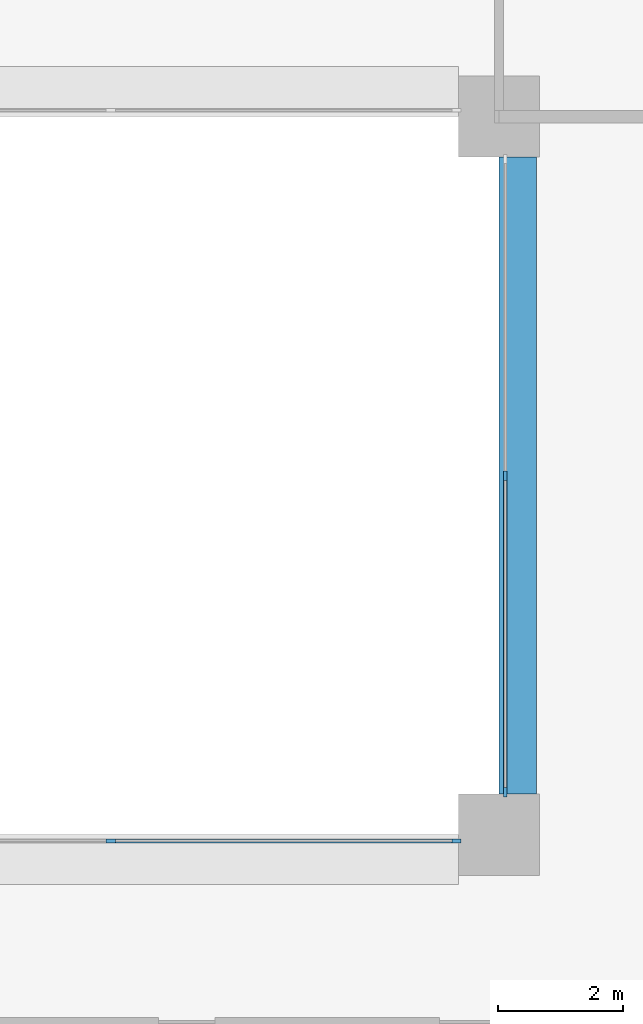
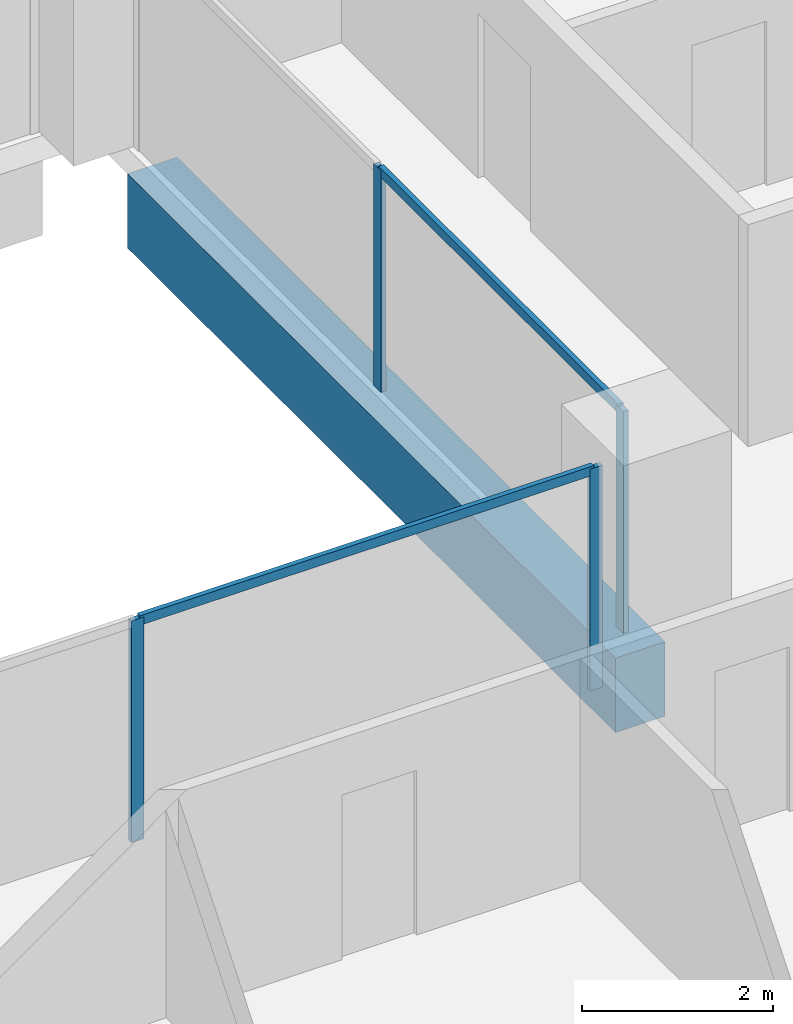
# One storey, part 4 of 16: 6 members, 1 beam, 2 elements without a shape of their own.
"""IFC4 building model written with IfcOpenShell, lengths in metres."""

import ifcopenshell
import ifcopenshell.guid

model = None  # the IFC model being written
_history = None  # IfcOwnerHistory: only IFC2X3 demands one
_inside = {}  # id of a spatial element -> (the spatial element, [elements in it])
_under = {}  # id of a project, library or spatial element -> (it, [spatial elements below it])
_declared = {}  # id of a project -> (the project, [libraries it declares])
_typed = {}  # id of a type object -> (the type object, [elements of that type])
_made_of = {}  # id of a material, layer set ... -> (it, [elements and type objects made of it])


def new_model(schema):
    """Start an empty IFC model of exactly this schema.

    Asked for "IFC4X3", IfcOpenShell would pick the latest addendum, in which some entities
    have other attributes; the version numbers below select the first issue.
    IFC2X3 requires an IfcOwnerHistory on every rooted entity: one is made here for all.
    """
    global model, _history
    if schema == "IFC4X3":
        model = ifcopenshell.file(schema_version=(4, 3, 0, 0))
    else:
        model = ifcopenshell.file(schema=schema)
    _inside.clear()
    _under.clear()
    _declared.clear()
    _typed.clear()
    _made_of.clear()
    _history = None
    if model.schema == "IFC2X3":
        org = make("IfcOrganization", Name="unknown")
        user = make(
            "IfcPersonAndOrganization",
            ThePerson=make("IfcPerson", FamilyName="unknown"),
            TheOrganization=org,
        )
        app = make(
            "IfcApplication",
            ApplicationDeveloper=org,
            Version="unknown",
            ApplicationFullName="unknown",
            ApplicationIdentifier="unknown",
        )
        _history = make(
            "IfcOwnerHistory",
            OwningUser=user,
            OwningApplication=app,
            ChangeAction="ADDED",
            CreationDate=0,
        )
    return model


def make(cls, **values):
    """One entity of the class cls with the attributes given. An attribute that is None is left unset."""
    return model.create_entity(
        cls, **{name: value for name, value in values.items() if value is not None}
    )


def rooted(cls, **values):
    """An entity with a GlobalId (a new one), such as an element, a storey or a relation."""
    return make(cls, GlobalId=ifcopenshell.guid.new(), OwnerHistory=_history, **values)


def si_unit(unit_type, name, prefix=None):
    """IfcSIUnit, for example si_unit("LENGTHUNIT", "METRE", prefix="MILLI")."""
    return make("IfcSIUnit", UnitType=unit_type, Prefix=prefix, Name=name)


def assignment(units):
    """IfcUnitAssignment: the units of a project."""
    return None if units is None else make("IfcUnitAssignment", Units=units)


def point(xyz):
    """IfcCartesianPoint."""
    return None if xyz is None else make("IfcCartesianPoint", Coordinates=xyz)


def direction(xyz):
    """IfcDirection."""
    return None if xyz is None else make("IfcDirection", DirectionRatios=xyz)


def frame(location, z_axis=None, x_axis=None):
    """IfcAxis2Placement3D, a coordinate frame: its origin and axes. An axis left out is left unset."""
    return make(
        "IfcAxis2Placement3D",
        Location=point(location),
        Axis=direction(z_axis),
        RefDirection=direction(x_axis),
    )


def frame_2d(location, x_axis=None):
    """IfcAxis2Placement2D, a coordinate frame in the plane: its origin and x axis."""
    return make(
        "IfcAxis2Placement2D", Location=point(location), RefDirection=direction(x_axis)
    )


def origin():
    """The frame at (0, 0, 0) with its axes left unset."""
    return frame((0.0, 0.0, 0.0))


def origin_2d():
    """The frame at (0, 0) in the plane with its x axis left unset."""
    return frame_2d((0.0, 0.0))


def place(relative_to, where):
    """IfcLocalPlacement: puts the frame where relative to a parent placement (None: the world)."""
    return make(
        "IfcLocalPlacement", PlacementRelTo=relative_to, RelativePlacement=where
    )


def context(
    kind, dimensions, precision=None, world=None, true_north=None, identifier=None
):
    """IfcGeometricRepresentationContext, for example the 3D "Model" context."""
    return make(
        "IfcGeometricRepresentationContext",
        ContextIdentifier=identifier,
        ContextType=kind,
        CoordinateSpaceDimension=dimensions,
        Precision=precision,
        WorldCoordinateSystem=world,
        TrueNorth=true_north,
    )


def subcontext(parent, identifier, kind, view, scale=None):
    """IfcGeometricRepresentationSubContext, for example "Body" below "Model"."""
    return make(
        "IfcGeometricRepresentationSubContext",
        ContextIdentifier=identifier,
        ContextType=kind,
        ParentContext=parent,
        TargetScale=scale,
        TargetView=view,
    )


def project(units=None, contexts=None):
    """IfcProject with its units and contexts."""
    return rooted(
        "IfcProject",
        Name="project",
        RepresentationContexts=contexts,
        UnitsInContext=assignment(units),
    )


def spatial(cls, under=None, at=None, **own):
    """A site, building, storey or space (cls), placed at a placement, below another one or the project."""
    s = rooted(cls, ObjectPlacement=at, **own)
    if under is not None:
        _under.setdefault(under.id(), (under, []))[1].append(s)
    return s


def profile(cls, at=None, kind="AREA", **sizes):
    """A parametric profile (cls). Its sizes go by their IFC names, for example OverallWidth=200.0."""
    return make(cls, ProfileType=kind, Position=at, **sizes)


def rectangle(**sizes):
    """IfcRectangleProfileDef."""
    return profile("IfcRectangleProfileDef", **sizes)


def extrude(swept, where, along, depth):
    """IfcExtrudedAreaSolid: the profile swept, set in the frame where, extruded along a direction by depth."""
    return make(
        "IfcExtrudedAreaSolid",
        SweptArea=swept,
        Position=where,
        ExtrudedDirection=direction(along),
        Depth=depth,
    )


def shape(context_of_items, identifier, shape_type, items):
    """IfcShapeRepresentation: the items that make up one representation, for example the "Body"."""
    return make(
        "IfcShapeRepresentation",
        ContextOfItems=context_of_items,
        RepresentationIdentifier=identifier,
        RepresentationType=shape_type,
        Items=items,
    )


def material(Name=None, Category=None):
    """IfcMaterial."""
    return make("IfcMaterial", Name=Name, Category=Category)


def layer(
    of_material, thickness, ventilated=None, Name=None, Category=None, Priority=None
):
    """IfcMaterialLayer: one layer of a wall or slab, of a material (None: an air gap)."""
    return make(
        "IfcMaterialLayer",
        Material=of_material,
        LayerThickness=thickness,
        IsVentilated=ventilated,
        Name=Name,
        Category=Category,
        Priority=Priority,
    )


def layer_set(layers, Name=None):
    """IfcMaterialLayerSet."""
    return make("IfcMaterialLayerSet", MaterialLayers=layers, LayerSetName=Name)


def material_profile(
    of_material, cross_section, Name=None, Category=None, Priority=None
):
    """IfcMaterialProfile: a cross section and its material."""
    return make(
        "IfcMaterialProfile",
        Name=Name,
        Material=of_material,
        Profile=cross_section,
        Priority=Priority,
        Category=Category,
    )


def profile_set(profiles, Name=None, composite=None):
    """IfcMaterialProfileSet."""
    return make(
        "IfcMaterialProfileSet",
        Name=Name,
        MaterialProfiles=profiles,
        CompositeProfile=composite,
    )


def made_of(thing, what):
    """Note that an element or type object is made of a material, layer set ...; save() writes the relation."""
    if what is not None:
        _made_of.setdefault(what.id(), (what, []))[1].append(thing)
    return thing


def type_object(cls, material=None, **own):
    """A type object (cls), such as IfcWallType, which elements share."""
    return made_of(rooted(cls, **own), material)


def element(
    cls,
    number,
    at=None,
    inside=None,
    cuts=None,
    type_object=None,
    material=None,
    context=None,
    identifier="Body",
    shape_type=None,
    held_by="IfcProductDefinitionShape",
    body=None,
    shapes=None,
    **own,
):
    """One element of the class cls, such as IfcWall. Its Tag is "e" and its number.

    at: its placement. inside: the storey or other place that contains it. cuts: it is an
    opening in that element (IfcRelVoidsElement). A single representation is given by context,
    identifier, shape_type and body (its items); several are given by shapes. held_by: the class
    of the entity that holds the representations. save() writes the other relations.
    """
    e = rooted(cls, Tag="e%d" % number, ObjectPlacement=at, **own)
    if body is not None:
        shapes = [shape(context, identifier, shape_type, body)]
    if shapes is not None:
        e.Representation = make(held_by, Representations=shapes)
    if inside is not None:
        _inside.setdefault(inside.id(), (inside, []))[1].append(e)
    if cuts is not None:
        rooted(
            "IfcRelVoidsElement", RelatingBuildingElement=cuts, RelatedOpeningElement=e
        )
    if type_object is not None:
        _typed.setdefault(type_object.id(), (type_object, []))[1].append(e)
    return made_of(e, material)


def aggregate(whole, parts):
    """IfcRelAggregates: a whole, such as a stair, and the parts it consists of."""
    return rooted("IfcRelAggregates", RelatingObject=whole, RelatedObjects=parts)


def save(model, path):
    """Write the relations noted so far, then the file.

    IfcRelAggregates (storeys below a building ...), IfcRelContainedInSpatialStructure (elements
    in a storey), IfcRelDefinesByType, IfcRelAssociatesMaterial and IfcRelDeclares: one each for
    every whole, place, type object, material and project.
    """
    for whole, parts in _under.values():
        aggregate(whole, parts)
    for where, things in _inside.values():
        rooted(
            "IfcRelContainedInSpatialStructure",
            RelatedElements=things,
            RelatingStructure=where,
        )
    for kind, things in _typed.values():
        rooted("IfcRelDefinesByType", RelatedObjects=things, RelatingType=kind)
    for what, things in _made_of.values():
        rooted("IfcRelAssociatesMaterial", RelatedObjects=things, RelatingMaterial=what)
    for by, libraries in _declared.values():
        rooted("IfcRelDeclares", RelatingContext=by, RelatedDefinitions=libraries)
    model.write(path)


model = new_model("IFC4")

# Units and contexts
model_context = context("Model", 3, precision=1e-05, world=origin(), true_north=direction((0.0, 1.0)))
body_context = subcontext(model_context, "Body", "Model", "MODEL_VIEW")
ifc_project = project(units=[si_unit("LENGTHUNIT", "METRE"), si_unit("AREAUNIT", "SQUARE_METRE"), si_unit("VOLUMEUNIT", "CUBIC_METRE"), si_unit("PLANEANGLEUNIT", "RADIAN"), si_unit("MASSUNIT", "GRAM", prefix="KILO")], contexts=[model_context])

# Site, building, storey
site_placement = place(None, origin())
site = spatial("IfcSite", under=ifc_project, at=site_placement, CompositionType="ELEMENT")
building_placement = place(site_placement, origin())
building = spatial("IfcBuilding", under=site, at=building_placement, Name="Brigalow Station Residences", CompositionType="ELEMENT")
storey_placement = place(building_placement, frame((0.0, 0.0, 83.550048828125)))
storey = spatial("IfcBuildingStorey", under=building, at=storey_placement, Name="L23", CompositionType="ELEMENT", Elevation=83.550048828125)

# Beam
ifc_material_1 = material(Name="Concrete C65", Category="concrete")
ifc_material_profile_1 = material_profile(ifc_material_1, rectangle(XDim=0.60009765625, YDim=0.949951171875, at=origin_2d()), Name="RC600x950")
ifc_profile_set_1 = profile_set([ifc_material_profile_1], Name="Concrete C65")
beam_type = type_object("IfcBeamType", Name="ATRIUM EDGE GIRDER 600x950 C65", PredefinedType="BEAM", material=ifc_profile_set_1)
beam_placement = place(storey_placement, frame((45.300048828125, 24.64990234375, -0.795166015625), z_axis=(0.0, 1.0, 0.0), x_axis=(-1.0, 0.0, 0.0)))
element("IfcBeam", 1, at=beam_placement, inside=storey, type_object=beam_type, Name="ATRIUM EDGE GIRDER 5 L23", PredefinedType="BEAM", context=body_context, shape_type="SweptSolid", body=[
    extrude(rectangle(XDim=0.60009765625, YDim=0.949951171875, at=origin_2d()), origin(), (0.0, 0.0, 1.0), 10.2001953125),
])

# Curtain wall, members
ifc_material_2 = material(Name="Aluminium", Category="aluminium")
ifc_layer = layer(ifc_material_2, 0.14990234375)
ifc_layer_set = layer_set([ifc_layer], Name="ATRIUM FIRE-RATED GLAZING CURTAIN WALL")
curtain_wall_type = type_object("IfcCurtainWallType", Name="ATRIUM FIRE-RATED GLAZING CURTAIN WALL", PredefinedType="NOTDEFINED", material=ifc_layer_set)
curtain_wall_1_placement = place(storey_placement, origin())
curtain_wall_1 = element("IfcCurtainWall", 2, at=curtain_wall_1_placement, inside=storey, type_object=curtain_wall_type, Name="L23/cw/atrium-S", PredefinedType="NOTDEFINED")
ifc_material_3 = material(Name="Aluminium", Category="aluminium")
ifc_material_profile_2 = material_profile(ifc_material_3, rectangle(XDim=0.06005859375, YDim=0.14990234375, at=origin_2d()), Name="ATRIUM FIRE-RATED GLAZING MULLION 60x150")
ifc_profile_set_2 = profile_set([ifc_material_profile_2], Name="Aluminium")
member_type_1 = type_object("IfcMemberType", Name="ATRIUM FIRE-RATED GLAZING MULLION 60x150", PredefinedType="MULLION", material=ifc_profile_set_2)
member_1_placement = place(storey_placement, frame((38.783203125, 23.89990234375, 0.0), z_axis=(0.0, 0.0, 1.0), x_axis=(0.0, 1.0, 0.0)))
member_1 = element("IfcMember", 3, at=member_1_placement, type_object=member_type_1, Name="L23/cw/atrium-S/M02", PredefinedType="MULLION", context=body_context, shape_type="SweptSolid", body=[
    extrude(rectangle(XDim=0.06005859375, YDim=0.14990234375, at=origin_2d()), origin(), (0.0, 0.0, 1.0), 2.829833984375),
])
member_2_placement = place(storey_placement, frame((44.320068359375, 23.89990234375, 0.0), z_axis=(0.0, 0.0, 1.0), x_axis=(0.0, 1.0, 0.0)))
member_2 = element("IfcMember", 4, at=member_2_placement, type_object=member_type_1, Name="L23/cw/atrium-S/M03", PredefinedType="MULLION", context=body_context, shape_type="SweptSolid", body=[
    extrude(rectangle(XDim=0.06005859375, YDim=0.14990234375, at=origin_2d()), origin(), (0.0, 0.0, 1.0), 2.829833984375),
])

curtain_wall_2_placement = place(storey_placement, origin())
curtain_wall_2 = element("IfcCurtainWall", 5, at=curtain_wall_2_placement, inside=storey, type_object=curtain_wall_type, Name="L23/cw/atrium-E", PredefinedType="NOTDEFINED")
member_3_placement = place(storey_placement, frame((45.10009765625, 24.679931640625, 0.0), z_axis=(0.0, 0.0, 1.0), x_axis=(-1.0, 0.0, 0.0)))
member_3 = element("IfcMember", 6, at=member_3_placement, type_object=member_type_1, Name="L23/cw/atrium-E/M00", PredefinedType="MULLION", context=body_context, shape_type="SweptSolid", body=[
    extrude(rectangle(XDim=0.06005859375, YDim=0.14990234375, at=origin_2d()), origin(), (0.0, 0.0, 1.0), 2.829833984375),
])
member_4_placement = place(storey_placement, frame((45.10009765625, 29.75, 0.0), z_axis=(0.0, 0.0, 1.0), x_axis=(-1.0, 0.0, 0.0)))
member_4 = element("IfcMember", 7, at=member_4_placement, type_object=member_type_1, Name="L23/cw/atrium-E/M01", PredefinedType="MULLION", context=body_context, shape_type="SweptSolid", body=[
    extrude(rectangle(XDim=0.06005859375, YDim=0.14990234375, at=origin_2d()), origin(), (0.0, 0.0, 1.0), 2.829833984375),
])

# Member
ifc_material_4 = material(Name="Aluminium", Category="aluminium")
ifc_material_profile_3 = material_profile(ifc_material_4, rectangle(XDim=0.06005859375, YDim=0.1201171875, at=origin_2d()), Name="ATRIUM FIRE-RATED GLAZING TRANSOM 60x120")
ifc_profile_set_3 = profile_set([ifc_material_profile_3], Name="Aluminium")
member_type_2 = type_object("IfcMemberType", Name="ATRIUM FIRE-RATED GLAZING TRANSOM 60x120", PredefinedType="USERDEFINED", material=ifc_profile_set_3)
member_5_placement = place(storey_placement, frame((38.813232421875, 23.89990234375, 2.800048828125), z_axis=(1.0, 0.0, 0.0), x_axis=(0.0, 1.0, 0.0)))
member_5 = element("IfcMember", 8, at=member_5_placement, type_object=member_type_2, Name="L23/cw/atrium-S/T02-00", ObjectType="TRANSOM", PredefinedType="USERDEFINED", context=body_context, shape_type="SweptSolid", body=[
    extrude(rectangle(XDim=0.06005859375, YDim=0.1201171875, at=origin_2d()), origin(), (0.0, 0.0, 1.0), 5.476806640625),
])

aggregate(curtain_wall_1, [member_1, member_2, member_5])

member_6_placement = place(storey_placement, frame((45.10009765625, 24.7099609375, 2.800048828125), z_axis=(0.0, 1.0, 0.0), x_axis=(-1.0, 0.0, 0.0)))
member_6 = element("IfcMember", 9, at=member_6_placement, type_object=member_type_2, Name="L23/cw/atrium-E/T00-00", ObjectType="TRANSOM", PredefinedType="USERDEFINED", context=body_context, shape_type="SweptSolid", body=[
    extrude(rectangle(XDim=0.06005859375, YDim=0.1201171875, at=origin_2d()), origin(), (0.0, 0.0, 1.0), 5.010009765625),
])

aggregate(curtain_wall_2, [member_3, member_4, member_6])

save(model, "model.ifc")
